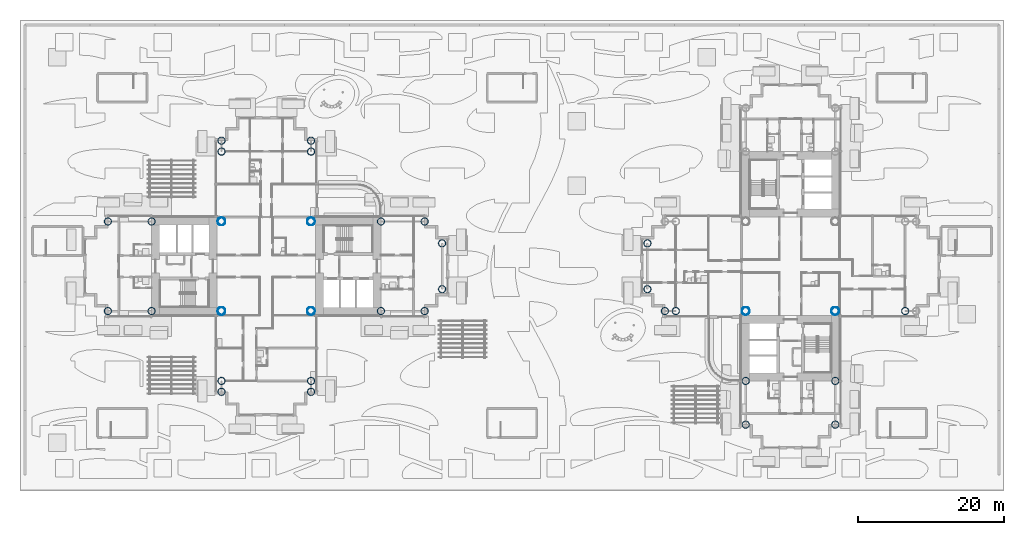
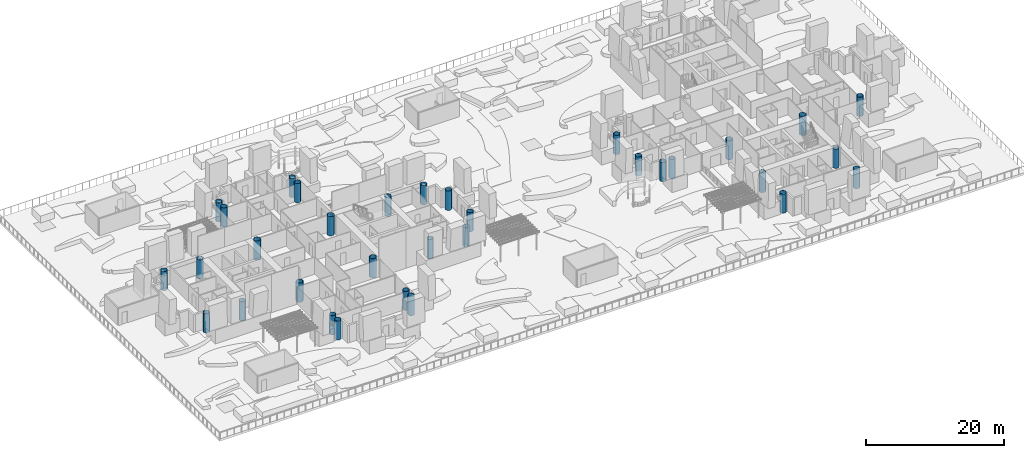
# One storey, part 1 of 40: 33 columns.
"""IFC4 building model written with IfcOpenShell, lengths in metres."""

from ifc_helpers import new_model, si_unit, direction, frame, origin, origin_2d, place, context, subcontext, project, spatial, hollow_circle, extrude, material, material_profile, profile_set, type_object, element, save


model = new_model("IFC4")

# Units and contexts
model_context = context("Model", 3, precision=1e-05, world=origin(), true_north=direction((0.0, 1.0)))
body_context = subcontext(model_context, "Body", "Model", "MODEL_VIEW")
ifc_project = project(units=[si_unit("LENGTHUNIT", "METRE"), si_unit("AREAUNIT", "SQUARE_METRE"), si_unit("VOLUMEUNIT", "CUBIC_METRE"), si_unit("PLANEANGLEUNIT", "RADIAN"), si_unit("MASSUNIT", "GRAM", prefix="KILO")], contexts=[model_context])

# Site, building, storey
site_placement = place(None, origin())
site = spatial("IfcSite", under=ifc_project, at=site_placement, CompositionType="ELEMENT")
building_placement = place(site_placement, origin())
building = spatial("IfcBuilding", under=site, at=building_placement, Name="Ipe Terrace Towers", CompositionType="ELEMENT")
storey_placement = place(building_placement, frame((0.0, 0.0, 24.5)))
storey = spatial("IfcBuildingStorey", under=building, at=storey_placement, Name="L05", CompositionType="ELEMENT", Elevation=24.5)

# Columns
ifc_material_1 = material(Name="Steel S355 tube with Concrete C60/75 fill", Category="concrete")
ifc_material_profile_1 = material_profile(ifc_material_1, hollow_circle(Radius=0.5, WallThickness=0.035888671875, at=origin_2d()), Name="CHS-1000x36")
ifc_profile_set_1 = profile_set([ifc_material_profile_1], Name="Steel S355 tube with Concrete C60/75 fill")
column_type_1 = type_object("IfcColumnType", Name="CH01 COLUMN CHS-1000x36", PredefinedType="COLUMN", material=ifc_profile_set_1)
for number, where, z_axis, x_axis, name in (
    (1, (-20.25, -6.14990234375, 0.0), (0.0, 0.0, 1.0), (1.0, 0.0, 0.0), "Column T1-C-A01"),
    (2, (-20.25, 6.14990234375, 0.0), (0.0, 0.0, 1.0), (1.0, 0.0, 0.0), "Column T1-C-A02"),
    (3, (-14.25, -6.14990234375, 0.0), (0.0, 0.0, 1.0), (1.0, 0.0, 0.0), "Column T1-C-A03"),
    (4, (-14.25, 6.14990234375, 0.0), (0.0, 0.0, 1.0), (1.0, 0.0, 0.0), "Column T1-C-A04"),
    (5, (-11.85009765625, -3.14990234375, 0.0), (0.0, 0.0, 1.0), (1.0, 0.0, 0.0), "Column T1-C-A05"),
    (6, (-11.85009765625, 3.14990234375, 0.0), (0.0, 0.0, 1.0), (1.0, 0.0, 0.0), "Column T1-C-A06"),
    (7, (-29.85009765625, 15.75, 0.0), (0.0, 0.0, 1.0), (1.0, 0.0, 0.0), "Column T1-C-B03"),
    (8, (-42.14990234375, 15.75, 0.0), (0.0, 0.0, 1.0), (1.0, 0.0, 0.0), "Column T1-C-B04"),
    (9, (-29.85009765625, 17.25, 0.0), (0.0, 0.0, 1.0), (1.0, 0.0, 0.0), "Column T1-C-B05"),
    (10, (-42.14990234375, 17.25, 0.0), (0.0, 0.0, 1.0), (1.0, 0.0, 0.0), "Column T1-C-B06"),
    (11, (-51.75, -6.14990234375, 0.0), (0.0, 0.0, 1.0), (1.0, 0.0, 0.0), "Column T1-C-C01"),
    (12, (-51.75, 6.14990234375, 0.0), (0.0, 0.0, 1.0), (1.0, 0.0, 0.0), "Column T1-C-C02"),
    (13, (-57.75, -6.14990234375, 0.0), (0.0, 0.0, 1.0), (1.0, 0.0, 0.0), "Column T1-C-C03"),
    (14, (-57.75, 6.14990234375, 0.0), (0.0, 0.0, 1.0), (1.0, 0.0, 0.0), "Column T1-C-C04"),
    (15, (-42.14990234375, -15.75, 0.0), (0.0, 0.0, 1.0), (1.0, 0.0, 0.0), "Column T1-C-D03"),
    (16, (-29.85009765625, -15.75, 0.0), (0.0, 0.0, 1.0), (1.0, 0.0, 0.0), "Column T1-C-D04"),
    (17, (-42.14990234375, -17.25, 0.0), (0.0, 0.0, 1.0), (1.0, 0.0, 0.0), "Column T1-C-D05"),
    (18, (-29.85009765625, -17.25, 0.0), (0.0, 0.0, 1.0), (1.0, 0.0, 0.0), "Column T1-C-D06"),
    (19, (20.25, -6.14990234375, 0.0), (0.0, 0.0, 1.0), (1.0, 0.0, 0.0), "Column T2-C-B04"),
    (20, (18.75, -6.14990234375, 0.0), (0.0, 0.0, 1.0), (1.0, 0.0, 0.0), "Column T2-C-B06"),
    (21, (16.35009765625, 3.14990234375, 0.0), (0.0, 0.0, 1.0), (1.0, 0.0, 0.0), "Column T2-C-B07"),
    (22, (16.35009765625, -3.14990234375, 0.0), (0.0, 0.0, 1.0), (1.0, 0.0, 0.0), "Column T2-C-B08"),
    (23, (42.14990234375, -15.75, 0.0), (0.0, 0.0, 1.0), (1.0, 0.0, 0.0), "Column T2-C-C01"),
    (24, (29.85009765625, -15.75, 0.0), (0.0, 0.0, 1.0), (1.0, 0.0, 0.0), "Column T2-C-C02"),
    (25, (42.14990234375, -21.75, 0.0), (0.0, 0.0, 1.0), (1.0, 0.0, 0.0), "Column T2-C-C03"),
    (26, (29.85009765625, -21.75, 0.0), (0.0, 0.0, 1.0), (1.0, 0.0, 0.0), "Column T2-C-C04"),
    (27, (51.75, -6.14990234375, 0.0), (0.0, 0.0, 1.0), (1.0, 0.0, 0.0), "Column T2-C-D03"),
):
    element("IfcColumn", number, at=place(storey_placement, frame(where, z_axis=z_axis, x_axis=x_axis)), inside=storey, type_object=column_type_1, Name=name, PredefinedType="COLUMN", context=body_context, shape_type="SweptSolid", body=[
        extrude(hollow_circle(Radius=0.5, WallThickness=0.035888671875, at=origin_2d()), origin(), (0.0, 0.0, 1.0), 3.39990234375),
    ])
ifc_material_2 = material(Name="Steel S355 tube with Concrete C60/75 fill", Category="concrete")
ifc_material_profile_2 = material_profile(ifc_material_2, hollow_circle(Radius=0.550048828125, WallThickness=0.0400390625, at=origin_2d()), Name="CHS-1100x40")
ifc_profile_set_2 = profile_set([ifc_material_profile_2], Name="Steel S355 tube with Concrete C60/75 fill")
column_type_2 = type_object("IfcColumnType", Name="CH02 COLUMN CHS-1100x40", PredefinedType="COLUMN", material=ifc_profile_set_2)
for number, where, z_axis, x_axis, name in (
    (28, (-42.14990234375, -6.14990234375, 0.0), (0.0, 0.0, 1.0), (1.0, 0.0, 0.0), "Column T1-C-E01"),
    (29, (-29.85009765625, -6.14990234375, 0.0), (0.0, 0.0, 1.0), (1.0, 0.0, 0.0), "Column T1-C-E02"),
    (30, (-29.85009765625, 6.14990234375, 0.0), (0.0, 0.0, 1.0), (1.0, 0.0, 0.0), "Column T1-C-E03"),
    (31, (-42.14990234375, 6.14990234375, 0.0), (0.0, 0.0, 1.0), (1.0, 0.0, 0.0), "Column T1-C-E04"),
    (32, (42.14990234375, -6.14990234375, 0.0), (0.0, 0.0, 1.0), (1.0, 0.0, 0.0), "Column T2-C-E01"),
    (33, (29.85009765625, -6.14990234375, 0.0), (0.0, 0.0, 1.0), (1.0, 0.0, 0.0), "Column T2-C-E04"),
):
    element("IfcColumn", number, at=place(storey_placement, frame(where, z_axis=z_axis, x_axis=x_axis)), inside=storey, type_object=column_type_2, Name=name, PredefinedType="COLUMN", context=body_context, shape_type="SweptSolid", body=[
        extrude(hollow_circle(Radius=0.550048828125, WallThickness=0.0400390625, at=origin_2d()), origin(), (0.0, 0.0, 1.0), 3.39990234375),
    ])

save(model, "model.ifc")
